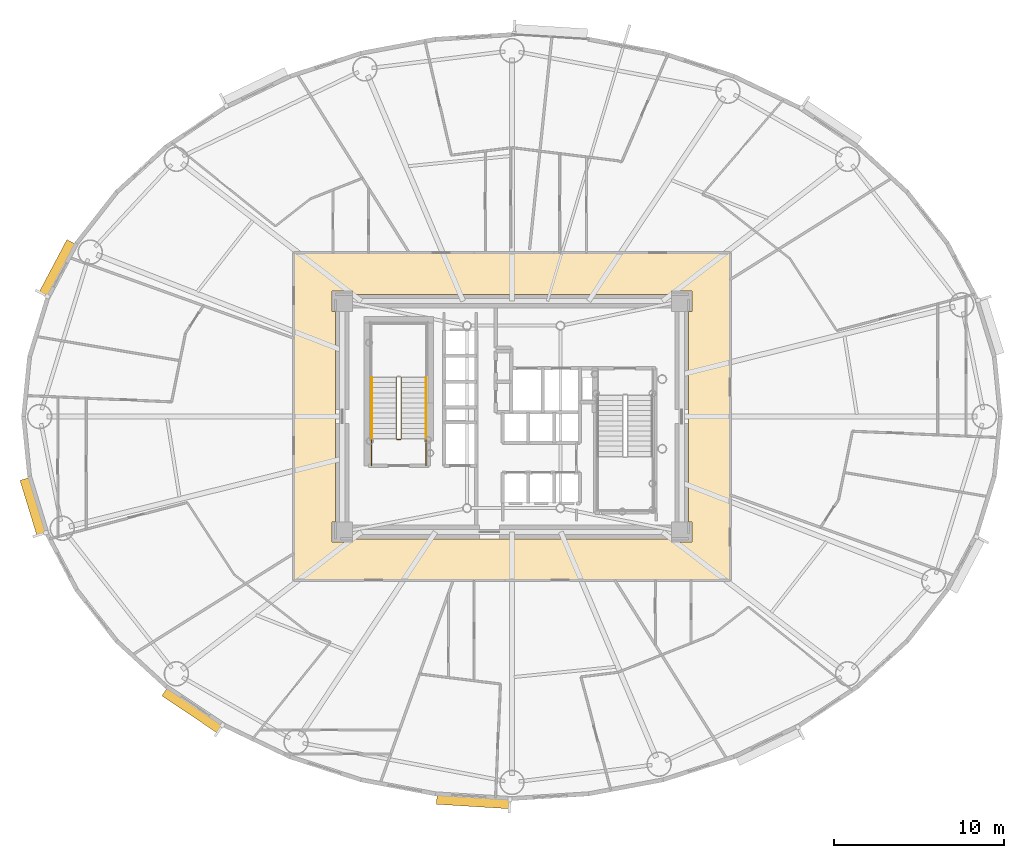
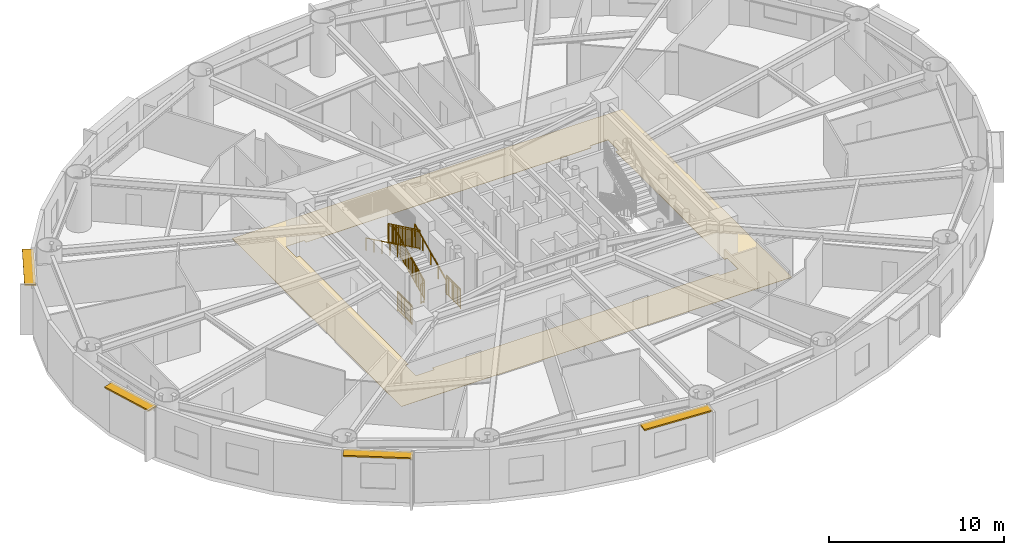
# One storey, part 14 of 18: 7 railings, 4 shading devices, 1 covering.
"""IFC4 building model written with IfcOpenShell, lengths in metres."""

from ifc_helpers import new_model, si_unit, direction, frame, origin, origin_2d, place, context, subcontext, project, spatial, polyline, rectangle, outline, extrude, source, transform, mapped, material, layer, layer_set, type_object, element, save


model = new_model("IFC4")

# Units and contexts
model_context = context("Model", 3, precision=1e-05, world=origin(), true_north=direction((0.0, 1.0)))
body_context = subcontext(model_context, "Body", "Model", "MODEL_VIEW")
ifc_project = project(units=[si_unit("LENGTHUNIT", "METRE"), si_unit("AREAUNIT", "SQUARE_METRE"), si_unit("VOLUMEUNIT", "CUBIC_METRE"), si_unit("PLANEANGLEUNIT", "RADIAN"), si_unit("MASSUNIT", "GRAM", prefix="KILO")], contexts=[model_context])

# Site, building, storey
site_placement = place(None, origin())
site = spatial("IfcSite", under=ifc_project, at=site_placement, CompositionType="ELEMENT")
building_placement = place(site_placement, origin())
building = spatial("IfcBuilding", under=site, at=building_placement, Name="Linh Dai School and Residence Tower", CompositionType="ELEMENT")
storey_placement = place(building_placement, frame((0.0, 0.0, 123.449951171875)))
storey = spatial("IfcBuildingStorey", under=building, at=storey_placement, Name="L29", CompositionType="ELEMENT", Elevation=123.449951171875)

# Covering
ifc_material_1 = material(Name="Polished Terrazzo Floor Finish", Category="masonry")
ifc_layer_1 = layer(ifc_material_1, 0.02490234375)
ifc_layer_set_1 = layer_set([ifc_layer_1], Name="Polished Terrazzo Floor Finish")
covering_type = type_object("IfcCoveringType", Name="COV-FLR-TRZ-25", PredefinedType="FLOORING", material=ifc_layer_set_1)
covering_placement = place(storey_placement, origin())
element("IfcCovering", 1, at=covering_placement, inside=storey, type_object=covering_type, Name="L29 Residential Floor Corridor Floor Finish", PredefinedType="FLOORING", context=body_context, shape_type="SweptSolid", body=[
    extrude(outline(polyline([(48.85009765625, 36.64990234375), (48.85009765625, 17.35009765625), (23.14990234375, 17.35009765625), (23.14990234375, 36.64990234375), (48.85009765625, 36.64990234375)]), holes=[polyline([(26.60009765625, 34.199951171875), (26.60009765625, 34.39990234375), (25.39990234375, 34.39990234375), (25.39990234375, 33.199951171875), (25.60009765625, 33.199951171875), (25.60009765625, 20.800048828125), (25.39990234375, 20.800048828125), (25.39990234375, 19.60009765625), (26.60009765625, 19.60009765625), (26.60009765625, 19.800048828125), (45.39990234375, 19.800048828125), (45.39990234375, 19.60009765625), (46.60009765625, 19.60009765625), (46.60009765625, 20.800048828125), (46.39990234375, 20.800048828125), (46.39990234375, 33.199951171875), (46.60009765625, 33.199951171875), (46.60009765625, 34.39990234375), (45.39990234375, 34.39990234375), (45.39990234375, 34.199951171875), (26.60009765625, 34.199951171875)])]), origin(), (0.0, 0.0, 1.0), 0.02001953125),
])

# Shading devices
ifc_material_2 = material(Name="Terracotta Ceramic Sunshade", Category="masonry")
ifc_layer_2 = layer(ifc_material_2, 0.10009765625)
ifc_layer_set_2 = layer_set([ifc_layer_2], Name="Terracotta Ceramic Sunshade")
shading_device_type = type_object("IfcShadingDeviceType", Name="SHD-TC-650", PredefinedType="USERDEFINED", material=ifc_layer_set_2)
shared_shape_1 = source(origin(), body_context, "Body", "SweptSolid", [
    extrude(rectangle(XDim=3.44384765625, YDim=0.64990234375, at=origin_2d()), origin(), (0.0, 0.0, 1.0), 0.10009765625),
])
shading_device_1_placement = place(storey_placement, frame((7.83154296875, 21.686279296875, 3.3798828125), z_axis=(0.0, 0.0, 1.0), x_axis=(-0.293133528962, 0.956071511028, 0.0)))
element("IfcShadingDevice", 2, at=shading_device_1_placement, inside=storey, type_object=shading_device_type, Name="L29 Terracotta Horizontal Sunshade Band 22", ObjectType="SUNSHADE", PredefinedType="USERDEFINED", context=body_context, shape_type="MappedRepresentation", body=[
    mapped(shared_shape_1, transform((0.0, 0.0, 0.0), x_axis=(1.0, 0.0, 0.0), y_axis=(0.0, 1.0, 0.0), z_axis=(0.0, 0.0, 1.0), scale=1.0)),
])
shared_shape_2 = source(origin(), body_context, "Body", "SweptSolid", [
    extrude(rectangle(XDim=3.96484375, YDim=0.64990234375, at=origin_2d()), origin(), (0.0, 0.0, 1.0), 0.10009765625),
])
shading_device_2_placement = place(storey_placement, frame((17.19970703125, 9.711669921875, 3.3798828125), z_axis=(0.0, 0.0, 1.0), x_axis=(-0.831240347736, 0.555913198527, 0.0)))
element("IfcShadingDevice", 3, at=shading_device_2_placement, inside=storey, type_object=shading_device_type, Name="L29 Terracotta Horizontal Sunshade Band 26", ObjectType="SUNSHADE", PredefinedType="USERDEFINED", context=body_context, shape_type="MappedRepresentation", body=[
    mapped(shared_shape_2, transform((0.0, 0.0, 0.0), x_axis=(1.0, 0.0, 0.0), y_axis=(0.0, 1.0, 0.0), z_axis=(0.0, 0.0, 1.0), scale=1.0)),
])
shared_shape_3 = source(origin(), body_context, "Body", "SweptSolid", [
    extrude(rectangle(XDim=4.33349609375, YDim=0.64990234375, at=origin_2d()), origin(), (0.0, 0.0, 1.0), 0.10009765625),
])
shading_device_3_placement = place(storey_placement, frame((33.729736328125, 4.349365234375, 3.3798828125), z_axis=(0.0, 0.0, 1.0), x_axis=(-0.998106513123, 0.061509255091, 0.0)))
element("IfcShadingDevice", 4, at=shading_device_3_placement, inside=storey, type_object=shading_device_type, Name="L29 Terracotta Horizontal Sunshade Band 30", ObjectType="SUNSHADE", PredefinedType="USERDEFINED", context=body_context, shape_type="MappedRepresentation", body=[
    mapped(shared_shape_3, transform((0.0, 0.0, 0.0), x_axis=(1.0, 0.0, 0.0), y_axis=(0.0, 1.0, 0.0), z_axis=(0.0, 0.0, 1.0), scale=1.0)),
])
shared_shape_4 = source(origin(), body_context, "Body", "SweptSolid", [
    extrude(rectangle(XDim=3.541015625, YDim=0.64990234375, at=origin_2d()), origin(), (0.0, 0.0, 1.0), 0.10009765625),
])
shading_device_4_placement = place(storey_placement, frame((9.240478515625, 35.708740234375, 3.3798828125), z_axis=(0.0, 0.0, 1.0), x_axis=(0.467596217252, 0.883942180016, 0.0)))
element("IfcShadingDevice", 5, at=shading_device_4_placement, inside=storey, type_object=shading_device_type, Name="L29 Terracotta Horizontal Sunshade Band 18", ObjectType="SUNSHADE", PredefinedType="USERDEFINED", context=body_context, shape_type="MappedRepresentation", body=[
    mapped(shared_shape_4, transform((0.0, 0.0, 0.0), x_axis=(1.0, 0.0, 0.0), y_axis=(0.0, 1.0, 0.0), z_axis=(0.0, 0.0, 1.0), scale=1.0)),
])

# Railings
ifc_material_3 = material(Name="Structural Steel S355JR", Category="steel")
railing_type_1 = type_object("IfcRailingType", Name="RL-ST-GUARD-1400", PredefinedType="GUARDRAIL", material=ifc_material_3)
shared_shape_5 = source(origin(), body_context, "Body", "SweptSolid", [
    extrude(rectangle(XDim=0.048095703125, YDim=0.048095703125, at=origin_2d()), frame((0.0, 0.0, 1.3759765625), z_axis=(-1.0, 0.0, 0.0), x_axis=(0.0, -1.0, 0.0)), (0.0, 0.0, 1.0), 0.199951171875),
    extrude(rectangle(XDim=0.048095703125, YDim=0.048095703125, at=origin_2d()), frame((0.0, 0.0, 0.10009765625), z_axis=(-1.0, 0.0, 0.0), x_axis=(0.0, -1.0, 0.0)), (0.0, 0.0, 1.0), 0.199951171875),
    extrude(rectangle(XDim=0.030029296875, YDim=0.030029296875, at=origin_2d()), frame((0.0, 0.0, 1.239990234375), z_axis=(-1.0, 0.0, 0.0), x_axis=(0.0, -1.0, 0.0)), (0.0, 0.0, 1.0), 0.199951171875),
    extrude(rectangle(XDim=0.0419921875, YDim=0.0419921875, at=origin_2d()), origin(), (0.0, 0.0, 1.0), 1.3759765625),
    extrude(rectangle(XDim=0.0419921875, YDim=0.0419921875, at=origin_2d()), frame((-0.199951171875, 0.0, 0.0)), (0.0, 0.0, 1.0), 1.3759765625),
])
railing_1_placement = place(storey_placement, frame((29.429931640625, 25.64990234375, 0.0)))
element("IfcRailing", 6, at=railing_1_placement, inside=storey, type_object=railing_type_1, Name="L29 ST1 stair guard 7", PredefinedType="GUARDRAIL", context=body_context, shape_type="MappedRepresentation", body=[
    mapped(shared_shape_5, transform((0.0, 0.0, 0.0), x_axis=(1.0, 0.0, 0.0), y_axis=(0.0, 1.0, 0.0), z_axis=(0.0, 0.0, 1.0), scale=1.0)),
])
shared_shape_6 = source(origin(), body_context, "Body", "SweptSolid", [
    extrude(rectangle(XDim=0.048095703125, YDim=0.048095703125, at=origin_2d()), frame((0.0, 0.0, 1.3759765625), z_axis=(0.0, 1.0, 0.0), x_axis=(-1.0, 0.0, 0.0)), (0.0, 0.0, 1.0), 1.599853515625),
    extrude(rectangle(XDim=0.048095703125, YDim=0.048095703125, at=origin_2d()), frame((0.0, 0.0, 0.10009765625), z_axis=(0.0, 1.0, 0.0), x_axis=(-1.0, 0.0, 0.0)), (0.0, 0.0, 1.0), 1.599853515625),
    extrude(rectangle(XDim=0.030029296875, YDim=0.030029296875, at=origin_2d()), frame((0.0, 0.0, 1.239990234375), z_axis=(0.0, 1.0, 0.0), x_axis=(-1.0, 0.0, 0.0)), (0.0, 0.0, 1.0), 1.599853515625),
    extrude(rectangle(XDim=0.02001953125, YDim=0.02001953125, at=origin_2d()), frame((0.0, 0.093994140625, 0.10009765625)), (0.0, 0.0, 1.0), 1.251708984375),
    extrude(rectangle(XDim=0.02001953125, YDim=0.02001953125, at=origin_2d()), frame((0.0, 0.188232421875, 0.10009765625)), (0.0, 0.0, 1.0), 1.251708984375),
    extrude(rectangle(XDim=0.02001953125, YDim=0.02001953125, at=origin_2d()), frame((0.0, 0.2822265625, 0.10009765625)), (0.0, 0.0, 1.0), 1.251708984375),
    extrude(rectangle(XDim=0.02001953125, YDim=0.02001953125, at=origin_2d()), frame((0.0, 0.37646484375, 0.10009765625)), (0.0, 0.0, 1.0), 1.251708984375),
    extrude(rectangle(XDim=0.02001953125, YDim=0.02001953125, at=origin_2d()), frame((0.0, 0.470458984375, 0.10009765625)), (0.0, 0.0, 1.0), 1.251708984375),
    extrude(rectangle(XDim=0.02001953125, YDim=0.02001953125, at=origin_2d()), frame((0.0, 0.564697265625, 0.10009765625)), (0.0, 0.0, 1.0), 1.251708984375),
    extrude(rectangle(XDim=0.02001953125, YDim=0.02001953125, at=origin_2d()), frame((0.0, 0.65869140625, 0.10009765625)), (0.0, 0.0, 1.0), 1.251708984375),
    extrude(rectangle(XDim=0.02001953125, YDim=0.02001953125, at=origin_2d()), frame((0.0, 0.7529296875, 0.10009765625)), (0.0, 0.0, 1.0), 1.251708984375),
    extrude(rectangle(XDim=0.02001953125, YDim=0.02001953125, at=origin_2d()), frame((0.0, 0.846923828125, 0.10009765625)), (0.0, 0.0, 1.0), 1.251708984375),
    extrude(rectangle(XDim=0.02001953125, YDim=0.02001953125, at=origin_2d()), frame((0.0, 0.941162109375, 0.10009765625)), (0.0, 0.0, 1.0), 1.251708984375),
    extrude(rectangle(XDim=0.02001953125, YDim=0.02001953125, at=origin_2d()), frame((0.0, 1.03515625, 0.10009765625)), (0.0, 0.0, 1.0), 1.251708984375),
    extrude(rectangle(XDim=0.02001953125, YDim=0.02001953125, at=origin_2d()), frame((0.0, 1.12939453125, 0.10009765625)), (0.0, 0.0, 1.0), 1.251708984375),
    extrude(rectangle(XDim=0.02001953125, YDim=0.02001953125, at=origin_2d()), frame((0.0, 1.223388671875, 0.10009765625)), (0.0, 0.0, 1.0), 1.251708984375),
    extrude(rectangle(XDim=0.02001953125, YDim=0.02001953125, at=origin_2d()), frame((0.0, 1.317626953125, 0.10009765625)), (0.0, 0.0, 1.0), 1.251708984375),
    extrude(rectangle(XDim=0.02001953125, YDim=0.02001953125, at=origin_2d()), frame((0.0, 1.41162109375, 0.10009765625)), (0.0, 0.0, 1.0), 1.251708984375),
    extrude(rectangle(XDim=0.02001953125, YDim=0.02001953125, at=origin_2d()), frame((0.0, 1.505859375, 0.10009765625)), (0.0, 0.0, 1.0), 1.251708984375),
    extrude(rectangle(XDim=0.0419921875, YDim=0.0419921875, at=origin_2d()), origin(), (0.0, 0.0, 1.0), 1.3759765625),
    extrude(rectangle(XDim=0.0419921875, YDim=0.0419921875, at=origin_2d()), frame((0.0, 0.7998046875, 0.0)), (0.0, 0.0, 1.0), 1.3759765625),
    extrude(rectangle(XDim=0.0419921875, YDim=0.0419921875, at=origin_2d()), frame((0.0, 1.599853515625, 0.0)), (0.0, 0.0, 1.0), 1.3759765625),
])
for number, where, name in (
    (7, (30.929931640625, 24.10009765625, 0.0), "L29 ST1 stair guard 8"),
    (8, (27.72998046875, 24.10009765625, 0.0), "L29 ST1 stair guard 9"),
):
    element("IfcRailing", number, at=place(storey_placement, frame(where)), inside=storey, type_object=railing_type_1, Name=name, PredefinedType="GUARDRAIL", context=body_context, shape_type="MappedRepresentation", body=[
        mapped(shared_shape_6, transform((0.0, 0.0, 0.0), x_axis=(1.0, 0.0, 0.0), y_axis=(0.0, 1.0, 0.0), z_axis=(0.0, 0.0, 1.0), scale=1.0)),
    ])
shared_shape_7 = source(origin(), body_context, "Body", "SweptSolid", [
    extrude(rectangle(XDim=0.048095703125, YDim=0.048095703125, at=origin_2d()), frame((0.0, 0.0, 1.3759765625), z_axis=(0.0, 0.901262522062, 0.433273431364), x_axis=(-1.0, 0.0, 0.0)), (0.0, 0.0, 1.0), 3.994384765625),
    extrude(rectangle(XDim=0.048095703125, YDim=0.048095703125, at=origin_2d()), frame((0.0, 0.0, 0.10009765625), z_axis=(0.0, 0.901262522062, 0.433273431364), x_axis=(-1.0, 0.0, 0.0)), (0.0, 0.0, 1.0), 3.994384765625),
    extrude(rectangle(XDim=0.030029296875, YDim=0.030029296875, at=origin_2d()), frame((0.0, 0.0, 1.239990234375), z_axis=(0.0, 0.901262522062, 0.433273431364), x_axis=(-1.0, 0.0, 0.0)), (0.0, 0.0, 1.0), 3.994384765625),
    extrude(rectangle(XDim=0.02001953125, YDim=0.02001953125, at=origin_2d()), frame((0.0, 0.087890625, 0.142333984375)), (0.0, 0.0, 1.0), 1.251708984375),
    extrude(rectangle(XDim=0.02001953125, YDim=0.02001953125, at=origin_2d()), frame((0.0, 0.175537109375, 0.1845703125)), (0.0, 0.0, 1.0), 1.251708984375),
    extrude(rectangle(XDim=0.02001953125, YDim=0.02001953125, at=origin_2d()), frame((0.0, 0.263427734375, 0.226806640625)), (0.0, 0.0, 1.0), 1.251708984375),
    extrude(rectangle(XDim=0.02001953125, YDim=0.02001953125, at=origin_2d()), frame((0.0, 0.351318359375, 0.26904296875)), (0.0, 0.0, 1.0), 1.251708984375),
    extrude(rectangle(XDim=0.02001953125, YDim=0.02001953125, at=origin_2d()), frame((0.0, 0.43896484375, 0.311279296875)), (0.0, 0.0, 1.0), 1.251708984375),
    extrude(rectangle(XDim=0.02001953125, YDim=0.02001953125, at=origin_2d()), frame((0.0, 0.52685546875, 0.353271484375)), (0.0, 0.0, 1.0), 1.251708984375),
    extrude(rectangle(XDim=0.02001953125, YDim=0.02001953125, at=origin_2d()), frame((0.0, 0.61474609375, 0.3955078125)), (0.0, 0.0, 1.0), 1.251708984375),
    extrude(rectangle(XDim=0.02001953125, YDim=0.02001953125, at=origin_2d()), frame((0.0, 0.702392578125, 0.437744140625)), (0.0, 0.0, 1.0), 1.251708984375),
    extrude(rectangle(XDim=0.02001953125, YDim=0.02001953125, at=origin_2d()), frame((0.0, 0.790283203125, 0.47998046875)), (0.0, 0.0, 1.0), 1.251708984375),
    extrude(rectangle(XDim=0.02001953125, YDim=0.02001953125, at=origin_2d()), frame((0.0, 0.9658203125, 0.564453125)), (0.0, 0.0, 1.0), 1.251708984375),
    extrude(rectangle(XDim=0.02001953125, YDim=0.02001953125, at=origin_2d()), frame((0.0, 1.0537109375, 0.606689453125)), (0.0, 0.0, 1.0), 1.251708984375),
    extrude(rectangle(XDim=0.02001953125, YDim=0.02001953125, at=origin_2d()), frame((0.0, 1.1416015625, 0.64892578125)), (0.0, 0.0, 1.0), 1.251708984375),
    extrude(rectangle(XDim=0.02001953125, YDim=0.02001953125, at=origin_2d()), frame((0.0, 1.229248046875, 0.691162109375)), (0.0, 0.0, 1.0), 1.251708984375),
    extrude(rectangle(XDim=0.02001953125, YDim=0.02001953125, at=origin_2d()), frame((0.0, 1.317138671875, 0.7333984375)), (0.0, 0.0, 1.0), 1.251708984375),
    extrude(rectangle(XDim=0.02001953125, YDim=0.02001953125, at=origin_2d()), frame((0.0, 1.405029296875, 0.775390625)), (0.0, 0.0, 1.0), 1.251708984375),
    extrude(rectangle(XDim=0.02001953125, YDim=0.02001953125, at=origin_2d()), frame((0.0, 1.49267578125, 0.817626953125)), (0.0, 0.0, 1.0), 1.251708984375),
    extrude(rectangle(XDim=0.02001953125, YDim=0.02001953125, at=origin_2d()), frame((0.0, 1.58056640625, 0.85986328125)), (0.0, 0.0, 1.0), 1.251708984375),
    extrude(rectangle(XDim=0.02001953125, YDim=0.02001953125, at=origin_2d()), frame((0.0, 1.66845703125, 0.902099609375)), (0.0, 0.0, 1.0), 1.251708984375),
    extrude(rectangle(XDim=0.02001953125, YDim=0.02001953125, at=origin_2d()), frame((0.0, 1.756103515625, 0.9443359375)), (0.0, 0.0, 1.0), 1.251708984375),
    extrude(rectangle(XDim=0.02001953125, YDim=0.02001953125, at=origin_2d()), frame((0.0, 1.843994140625, 0.986572265625)), (0.0, 0.0, 1.0), 1.251708984375),
    extrude(rectangle(XDim=0.02001953125, YDim=0.02001953125, at=origin_2d()), frame((0.0, 1.931640625, 1.02880859375)), (0.0, 0.0, 1.0), 1.251708984375),
    extrude(rectangle(XDim=0.02001953125, YDim=0.02001953125, at=origin_2d()), frame((0.0, 2.01953125, 1.071044921875)), (0.0, 0.0, 1.0), 1.251708984375),
    extrude(rectangle(XDim=0.02001953125, YDim=0.02001953125, at=origin_2d()), frame((0.0, 2.107421875, 1.11328125)), (0.0, 0.0, 1.0), 1.251708984375),
    extrude(rectangle(XDim=0.02001953125, YDim=0.02001953125, at=origin_2d()), frame((0.0, 2.195068359375, 1.155517578125)), (0.0, 0.0, 1.0), 1.251708984375),
    extrude(rectangle(XDim=0.02001953125, YDim=0.02001953125, at=origin_2d()), frame((0.0, 2.282958984375, 1.197509765625)), (0.0, 0.0, 1.0), 1.251708984375),
    extrude(rectangle(XDim=0.02001953125, YDim=0.02001953125, at=origin_2d()), frame((0.0, 2.370849609375, 1.23974609375)), (0.0, 0.0, 1.0), 1.251708984375),
    extrude(rectangle(XDim=0.02001953125, YDim=0.02001953125, at=origin_2d()), frame((0.0, 2.45849609375, 1.281982421875)), (0.0, 0.0, 1.0), 1.251708984375),
    extrude(rectangle(XDim=0.02001953125, YDim=0.02001953125, at=origin_2d()), frame((0.0, 2.54638671875, 1.32421875)), (0.0, 0.0, 1.0), 1.251708984375),
    extrude(rectangle(XDim=0.02001953125, YDim=0.02001953125, at=origin_2d()), frame((0.0, 2.63427734375, 1.366455078125)), (0.0, 0.0, 1.0), 1.251708984375),
    extrude(rectangle(XDim=0.02001953125, YDim=0.02001953125, at=origin_2d()), frame((0.0, 2.809814453125, 1.450927734375)), (0.0, 0.0, 1.0), 1.251708984375),
    extrude(rectangle(XDim=0.02001953125, YDim=0.02001953125, at=origin_2d()), frame((0.0, 2.897705078125, 1.4931640625)), (0.0, 0.0, 1.0), 1.251708984375),
    extrude(rectangle(XDim=0.02001953125, YDim=0.02001953125, at=origin_2d()), frame((0.0, 2.9853515625, 1.535400390625)), (0.0, 0.0, 1.0), 1.251708984375),
    extrude(rectangle(XDim=0.02001953125, YDim=0.02001953125, at=origin_2d()), frame((0.0, 3.0732421875, 1.57763671875)), (0.0, 0.0, 1.0), 1.251708984375),
    extrude(rectangle(XDim=0.02001953125, YDim=0.02001953125, at=origin_2d()), frame((0.0, 3.1611328125, 1.61962890625)), (0.0, 0.0, 1.0), 1.251708984375),
    extrude(rectangle(XDim=0.02001953125, YDim=0.02001953125, at=origin_2d()), frame((0.0, 3.248779296875, 1.661865234375)), (0.0, 0.0, 1.0), 1.251708984375),
    extrude(rectangle(XDim=0.02001953125, YDim=0.02001953125, at=origin_2d()), frame((0.0, 3.336669921875, 1.7041015625)), (0.0, 0.0, 1.0), 1.251708984375),
    extrude(rectangle(XDim=0.02001953125, YDim=0.02001953125, at=origin_2d()), frame((0.0, 3.424560546875, 1.746337890625)), (0.0, 0.0, 1.0), 1.251708984375),
    extrude(rectangle(XDim=0.02001953125, YDim=0.02001953125, at=origin_2d()), frame((0.0, 3.51220703125, 1.78857421875)), (0.0, 0.0, 1.0), 1.251708984375),
    extrude(rectangle(XDim=0.0419921875, YDim=0.0419921875, at=origin_2d()), origin(), (0.0, 0.0, 1.0), 1.3759765625),
    extrude(rectangle(XDim=0.0419921875, YDim=0.0419921875, at=origin_2d()), frame((0.0, 0.89990234375, 0.4326171875)), (0.0, 0.0, 1.0), 1.3759765625),
    extrude(rectangle(XDim=0.0419921875, YDim=0.0419921875, at=origin_2d()), frame((0.0, 1.800048828125, 0.865234375)), (0.0, 0.0, 1.0), 1.3759765625),
    extrude(rectangle(XDim=0.0419921875, YDim=0.0419921875, at=origin_2d()), frame((0.0, 2.7001953125, 1.298095703125)), (0.0, 0.0, 1.0), 1.3759765625),
    extrude(rectangle(XDim=0.0419921875, YDim=0.0419921875, at=origin_2d()), frame((0.0, 3.60009765625, 1.730712890625)), (0.0, 0.0, 1.0), 1.3759765625),
])
railing_2_placement = place(storey_placement, frame((29.47998046875, 25.699951171875, 0.144287109375)))
element("IfcRailing", 9, at=railing_2_placement, inside=storey, type_object=railing_type_1, Name="L29 ST1 stair guard 1", PredefinedType="GUARDRAIL", context=body_context, shape_type="MappedRepresentation", body=[
    mapped(shared_shape_7, transform((0.0, 0.0, 0.0), x_axis=(1.0, 0.0, 0.0), y_axis=(0.0, 1.0, 0.0), z_axis=(0.0, 0.0, 1.0), scale=1.0)),
])
shared_shape_8 = source(origin(), body_context, "Body", "SweptSolid", [
    extrude(rectangle(XDim=0.048095703125, YDim=0.048095703125, at=origin_2d()), frame((0.0, 0.0, 1.3759765625), z_axis=(0.0, -0.901262522062, 0.433273431364), x_axis=(1.0, 0.0, 0.0)), (0.0, 0.0, 1.0), 3.994384765625),
    extrude(rectangle(XDim=0.048095703125, YDim=0.048095703125, at=origin_2d()), frame((0.0, 0.0, 0.10009765625), z_axis=(0.0, -0.901262522062, 0.433273431364), x_axis=(1.0, 0.0, 0.0)), (0.0, 0.0, 1.0), 3.994384765625),
    extrude(rectangle(XDim=0.030029296875, YDim=0.030029296875, at=origin_2d()), frame((0.0, 0.0, 1.239990234375), z_axis=(0.0, -0.901262522062, 0.433273431364), x_axis=(1.0, 0.0, 0.0)), (0.0, 0.0, 1.0), 3.994384765625),
    extrude(rectangle(XDim=0.02001953125, YDim=0.02001953125, at=origin_2d()), frame((0.0, -0.087890625, 0.142333984375)), (0.0, 0.0, 1.0), 1.251708984375),
    extrude(rectangle(XDim=0.02001953125, YDim=0.02001953125, at=origin_2d()), frame((0.0, -0.175537109375, 0.1845703125)), (0.0, 0.0, 1.0), 1.251708984375),
    extrude(rectangle(XDim=0.02001953125, YDim=0.02001953125, at=origin_2d()), frame((0.0, -0.263427734375, 0.226806640625)), (0.0, 0.0, 1.0), 1.251708984375),
    extrude(rectangle(XDim=0.02001953125, YDim=0.02001953125, at=origin_2d()), frame((0.0, -0.351318359375, 0.26904296875)), (0.0, 0.0, 1.0), 1.251708984375),
    extrude(rectangle(XDim=0.02001953125, YDim=0.02001953125, at=origin_2d()), frame((0.0, -0.43896484375, 0.311279296875)), (0.0, 0.0, 1.0), 1.251708984375),
    extrude(rectangle(XDim=0.02001953125, YDim=0.02001953125, at=origin_2d()), frame((0.0, -0.52685546875, 0.353271484375)), (0.0, 0.0, 1.0), 1.251708984375),
    extrude(rectangle(XDim=0.02001953125, YDim=0.02001953125, at=origin_2d()), frame((0.0, -0.61474609375, 0.3955078125)), (0.0, 0.0, 1.0), 1.251708984375),
    extrude(rectangle(XDim=0.02001953125, YDim=0.02001953125, at=origin_2d()), frame((0.0, -0.702392578125, 0.437744140625)), (0.0, 0.0, 1.0), 1.251708984375),
    extrude(rectangle(XDim=0.02001953125, YDim=0.02001953125, at=origin_2d()), frame((0.0, -0.790283203125, 0.47998046875)), (0.0, 0.0, 1.0), 1.251708984375),
    extrude(rectangle(XDim=0.02001953125, YDim=0.02001953125, at=origin_2d()), frame((0.0, -0.9658203125, 0.564453125)), (0.0, 0.0, 1.0), 1.251708984375),
    extrude(rectangle(XDim=0.02001953125, YDim=0.02001953125, at=origin_2d()), frame((0.0, -1.0537109375, 0.606689453125)), (0.0, 0.0, 1.0), 1.251708984375),
    extrude(rectangle(XDim=0.02001953125, YDim=0.02001953125, at=origin_2d()), frame((0.0, -1.1416015625, 0.64892578125)), (0.0, 0.0, 1.0), 1.251708984375),
    extrude(rectangle(XDim=0.02001953125, YDim=0.02001953125, at=origin_2d()), frame((0.0, -1.229248046875, 0.691162109375)), (0.0, 0.0, 1.0), 1.251708984375),
    extrude(rectangle(XDim=0.02001953125, YDim=0.02001953125, at=origin_2d()), frame((0.0, -1.317138671875, 0.7333984375)), (0.0, 0.0, 1.0), 1.251708984375),
    extrude(rectangle(XDim=0.02001953125, YDim=0.02001953125, at=origin_2d()), frame((0.0, -1.405029296875, 0.775390625)), (0.0, 0.0, 1.0), 1.251708984375),
    extrude(rectangle(XDim=0.02001953125, YDim=0.02001953125, at=origin_2d()), frame((0.0, -1.49267578125, 0.817626953125)), (0.0, 0.0, 1.0), 1.251708984375),
    extrude(rectangle(XDim=0.02001953125, YDim=0.02001953125, at=origin_2d()), frame((0.0, -1.58056640625, 0.85986328125)), (0.0, 0.0, 1.0), 1.251708984375),
    extrude(rectangle(XDim=0.02001953125, YDim=0.02001953125, at=origin_2d()), frame((0.0, -1.66845703125, 0.902099609375)), (0.0, 0.0, 1.0), 1.251708984375),
    extrude(rectangle(XDim=0.02001953125, YDim=0.02001953125, at=origin_2d()), frame((0.0, -1.756103515625, 0.9443359375)), (0.0, 0.0, 1.0), 1.251708984375),
    extrude(rectangle(XDim=0.02001953125, YDim=0.02001953125, at=origin_2d()), frame((0.0, -1.843994140625, 0.986572265625)), (0.0, 0.0, 1.0), 1.251708984375),
    extrude(rectangle(XDim=0.02001953125, YDim=0.02001953125, at=origin_2d()), frame((0.0, -1.931640625, 1.02880859375)), (0.0, 0.0, 1.0), 1.251708984375),
    extrude(rectangle(XDim=0.02001953125, YDim=0.02001953125, at=origin_2d()), frame((0.0, -2.01953125, 1.071044921875)), (0.0, 0.0, 1.0), 1.251708984375),
    extrude(rectangle(XDim=0.02001953125, YDim=0.02001953125, at=origin_2d()), frame((0.0, -2.107421875, 1.11328125)), (0.0, 0.0, 1.0), 1.251708984375),
    extrude(rectangle(XDim=0.02001953125, YDim=0.02001953125, at=origin_2d()), frame((0.0, -2.195068359375, 1.155517578125)), (0.0, 0.0, 1.0), 1.251708984375),
    extrude(rectangle(XDim=0.02001953125, YDim=0.02001953125, at=origin_2d()), frame((0.0, -2.282958984375, 1.197509765625)), (0.0, 0.0, 1.0), 1.251708984375),
    extrude(rectangle(XDim=0.02001953125, YDim=0.02001953125, at=origin_2d()), frame((0.0, -2.370849609375, 1.23974609375)), (0.0, 0.0, 1.0), 1.251708984375),
    extrude(rectangle(XDim=0.02001953125, YDim=0.02001953125, at=origin_2d()), frame((0.0, -2.45849609375, 1.281982421875)), (0.0, 0.0, 1.0), 1.251708984375),
    extrude(rectangle(XDim=0.02001953125, YDim=0.02001953125, at=origin_2d()), frame((0.0, -2.54638671875, 1.32421875)), (0.0, 0.0, 1.0), 1.251708984375),
    extrude(rectangle(XDim=0.02001953125, YDim=0.02001953125, at=origin_2d()), frame((0.0, -2.63427734375, 1.366455078125)), (0.0, 0.0, 1.0), 1.251708984375),
    extrude(rectangle(XDim=0.02001953125, YDim=0.02001953125, at=origin_2d()), frame((0.0, -2.809814453125, 1.450927734375)), (0.0, 0.0, 1.0), 1.251708984375),
    extrude(rectangle(XDim=0.02001953125, YDim=0.02001953125, at=origin_2d()), frame((0.0, -2.897705078125, 1.4931640625)), (0.0, 0.0, 1.0), 1.251708984375),
    extrude(rectangle(XDim=0.02001953125, YDim=0.02001953125, at=origin_2d()), frame((0.0, -2.9853515625, 1.535400390625)), (0.0, 0.0, 1.0), 1.251708984375),
    extrude(rectangle(XDim=0.02001953125, YDim=0.02001953125, at=origin_2d()), frame((0.0, -3.0732421875, 1.57763671875)), (0.0, 0.0, 1.0), 1.251708984375),
    extrude(rectangle(XDim=0.02001953125, YDim=0.02001953125, at=origin_2d()), frame((0.0, -3.1611328125, 1.61962890625)), (0.0, 0.0, 1.0), 1.251708984375),
    extrude(rectangle(XDim=0.02001953125, YDim=0.02001953125, at=origin_2d()), frame((0.0, -3.248779296875, 1.661865234375)), (0.0, 0.0, 1.0), 1.251708984375),
    extrude(rectangle(XDim=0.02001953125, YDim=0.02001953125, at=origin_2d()), frame((0.0, -3.336669921875, 1.7041015625)), (0.0, 0.0, 1.0), 1.251708984375),
    extrude(rectangle(XDim=0.02001953125, YDim=0.02001953125, at=origin_2d()), frame((0.0, -3.424560546875, 1.746337890625)), (0.0, 0.0, 1.0), 1.251708984375),
    extrude(rectangle(XDim=0.02001953125, YDim=0.02001953125, at=origin_2d()), frame((0.0, -3.51220703125, 1.78857421875)), (0.0, 0.0, 1.0), 1.251708984375),
    extrude(rectangle(XDim=0.0419921875, YDim=0.0419921875, at=origin_2d()), origin(), (0.0, 0.0, 1.0), 1.3759765625),
    extrude(rectangle(XDim=0.0419921875, YDim=0.0419921875, at=origin_2d()), frame((0.0, -0.89990234375, 0.4326171875)), (0.0, 0.0, 1.0), 1.3759765625),
    extrude(rectangle(XDim=0.0419921875, YDim=0.0419921875, at=origin_2d()), frame((0.0, -1.800048828125, 0.865234375)), (0.0, 0.0, 1.0), 1.3759765625),
    extrude(rectangle(XDim=0.0419921875, YDim=0.0419921875, at=origin_2d()), frame((0.0, -2.7001953125, 1.298095703125)), (0.0, 0.0, 1.0), 1.3759765625),
    extrude(rectangle(XDim=0.0419921875, YDim=0.0419921875, at=origin_2d()), frame((0.0, -3.60009765625, 1.730712890625)), (0.0, 0.0, 1.0), 1.3759765625),
])
railing_3_placement = place(storey_placement, frame((29.179931640625, 29.300048828125, 2.019287109375)))
element("IfcRailing", 10, at=railing_3_placement, inside=storey, type_object=railing_type_1, Name="L29 ST1 stair guard 6", PredefinedType="GUARDRAIL", context=body_context, shape_type="MappedRepresentation", body=[
    mapped(shared_shape_8, transform((0.0, 0.0, 0.0), x_axis=(1.0, 0.0, 0.0), y_axis=(0.0, 1.0, 0.0), z_axis=(0.0, 0.0, 1.0), scale=1.0)),
])
ifc_material_4 = material(Name="Brushed Stainless Steel Handrail", Category="steel")
railing_type_2 = type_object("IfcRailingType", Name="RL-ST-HANDRAIL-900", PredefinedType="HANDRAIL", material=ifc_material_4)
shared_shape_9 = source(origin(), body_context, "Body", "SweptSolid", [
    extrude(rectangle(XDim=0.048095703125, YDim=0.048095703125, at=origin_2d()), frame((0.0, 0.0, 0.8759765625), z_axis=(0.0, 0.901262522062, 0.433273431364), x_axis=(-1.0, 0.0, 0.0)), (0.0, 0.0, 1.0), 3.994384765625),
    extrude(rectangle(XDim=0.0419921875, YDim=0.0419921875, at=origin_2d()), origin(), (0.0, 0.0, 1.0), 0.8759765625),
    extrude(rectangle(XDim=0.0419921875, YDim=0.0419921875, at=origin_2d()), frame((0.0, 0.89990234375, 0.4326171875)), (0.0, 0.0, 1.0), 0.8759765625),
    extrude(rectangle(XDim=0.0419921875, YDim=0.0419921875, at=origin_2d()), frame((0.0, 1.800048828125, 0.865234375)), (0.0, 0.0, 1.0), 0.8759765625),
    extrude(rectangle(XDim=0.0419921875, YDim=0.0419921875, at=origin_2d()), frame((0.0, 2.7001953125, 1.298095703125)), (0.0, 0.0, 1.0), 0.8759765625),
    extrude(rectangle(XDim=0.0419921875, YDim=0.0419921875, at=origin_2d()), frame((0.0, 3.60009765625, 1.730712890625)), (0.0, 0.0, 1.0), 0.8759765625),
])
railing_4_placement = place(storey_placement, frame((30.929931640625, 25.699951171875, 0.144287109375)))
element("IfcRailing", 11, at=railing_4_placement, inside=storey, type_object=railing_type_2, Name="L29 ST1 stair handrail 1", PredefinedType="HANDRAIL", context=body_context, shape_type="MappedRepresentation", body=[
    mapped(shared_shape_9, transform((0.0, 0.0, 0.0), x_axis=(1.0, 0.0, 0.0), y_axis=(0.0, 1.0, 0.0), z_axis=(0.0, 0.0, 1.0), scale=1.0)),
])
shared_shape_10 = source(origin(), body_context, "Body", "SweptSolid", [
    extrude(rectangle(XDim=0.048095703125, YDim=0.048095703125, at=origin_2d()), frame((0.0, 0.0, 0.8759765625), z_axis=(0.0, -0.901262522062, 0.433273431364), x_axis=(1.0, 0.0, 0.0)), (0.0, 0.0, 1.0), 3.994384765625),
    extrude(rectangle(XDim=0.0419921875, YDim=0.0419921875, at=origin_2d()), origin(), (0.0, 0.0, 1.0), 0.8759765625),
    extrude(rectangle(XDim=0.0419921875, YDim=0.0419921875, at=origin_2d()), frame((0.0, -0.89990234375, 0.4326171875)), (0.0, 0.0, 1.0), 0.8759765625),
    extrude(rectangle(XDim=0.0419921875, YDim=0.0419921875, at=origin_2d()), frame((0.0, -1.800048828125, 0.865234375)), (0.0, 0.0, 1.0), 0.8759765625),
    extrude(rectangle(XDim=0.0419921875, YDim=0.0419921875, at=origin_2d()), frame((0.0, -2.7001953125, 1.298095703125)), (0.0, 0.0, 1.0), 0.8759765625),
    extrude(rectangle(XDim=0.0419921875, YDim=0.0419921875, at=origin_2d()), frame((0.0, -3.60009765625, 1.730712890625)), (0.0, 0.0, 1.0), 0.8759765625),
])
railing_5_placement = place(storey_placement, frame((27.72998046875, 29.300048828125, 2.019287109375)))
element("IfcRailing", 12, at=railing_5_placement, inside=storey, type_object=railing_type_2, Name="L29 ST1 stair handrail 2", PredefinedType="HANDRAIL", context=body_context, shape_type="MappedRepresentation", body=[
    mapped(shared_shape_10, transform((0.0, 0.0, 0.0), x_axis=(1.0, 0.0, 0.0), y_axis=(0.0, 1.0, 0.0), z_axis=(0.0, 0.0, 1.0), scale=1.0)),
])

save(model, "model.ifc")
